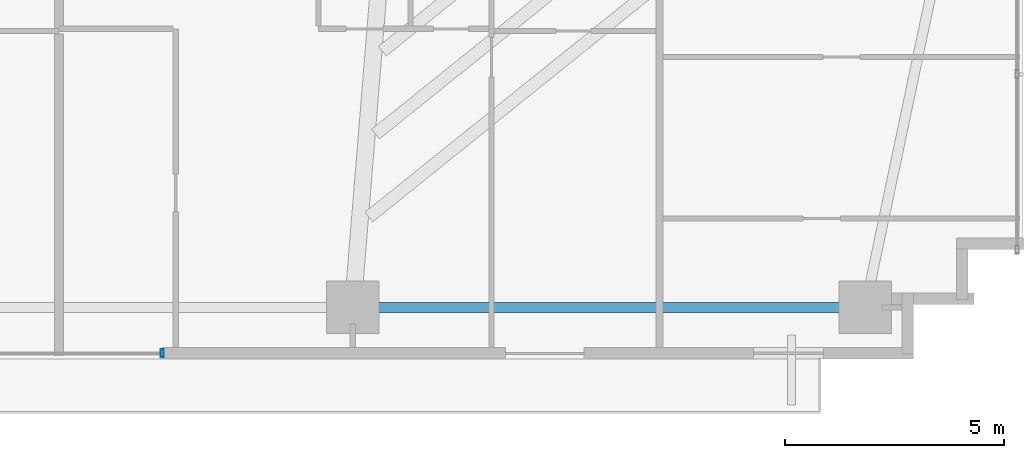
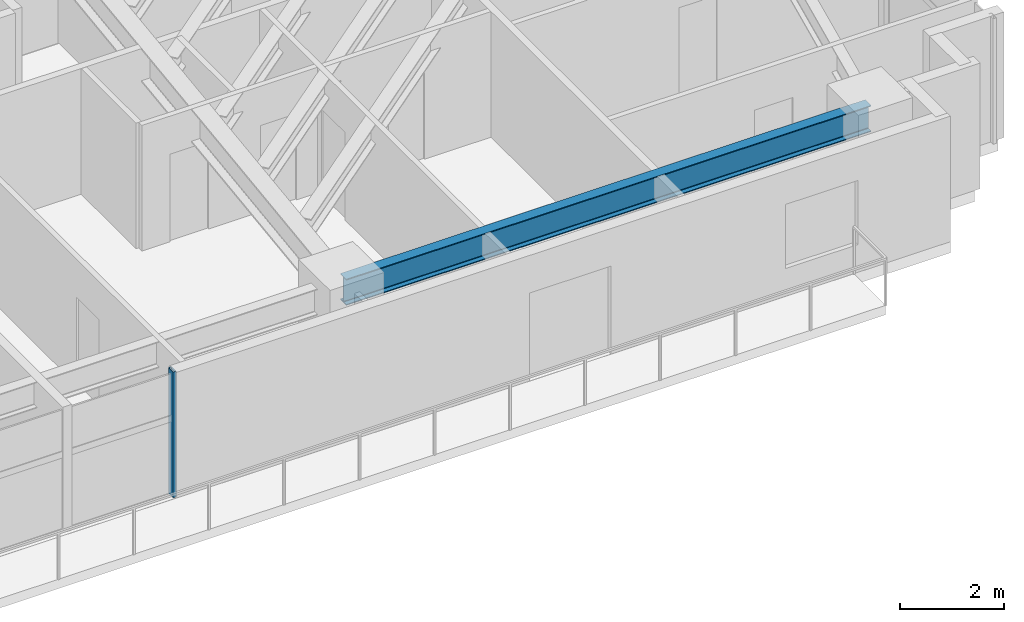
# One storey, part 12 of 25: 1 beam, 1 member, 1 element without a shape of its own.
"""IFC4 building model written with IfcOpenShell, lengths in metres."""

import ifcopenshell
import ifcopenshell.guid

model = None  # the IFC model being written
_history = None  # IfcOwnerHistory: only IFC2X3 demands one
_inside = {}  # id of a spatial element -> (the spatial element, [elements in it])
_under = {}  # id of a project, library or spatial element -> (it, [spatial elements below it])
_declared = {}  # id of a project -> (the project, [libraries it declares])
_typed = {}  # id of a type object -> (the type object, [elements of that type])
_made_of = {}  # id of a material, layer set ... -> (it, [elements and type objects made of it])


def new_model(schema):
    """Start an empty IFC model of exactly this schema.

    Asked for "IFC4X3", IfcOpenShell would pick the latest addendum, in which some entities
    have other attributes; the version numbers below select the first issue.
    IFC2X3 requires an IfcOwnerHistory on every rooted entity: one is made here for all.
    """
    global model, _history
    if schema == "IFC4X3":
        model = ifcopenshell.file(schema_version=(4, 3, 0, 0))
    else:
        model = ifcopenshell.file(schema=schema)
    _inside.clear()
    _under.clear()
    _declared.clear()
    _typed.clear()
    _made_of.clear()
    _history = None
    if model.schema == "IFC2X3":
        org = make("IfcOrganization", Name="unknown")
        user = make(
            "IfcPersonAndOrganization",
            ThePerson=make("IfcPerson", FamilyName="unknown"),
            TheOrganization=org,
        )
        app = make(
            "IfcApplication",
            ApplicationDeveloper=org,
            Version="unknown",
            ApplicationFullName="unknown",
            ApplicationIdentifier="unknown",
        )
        _history = make(
            "IfcOwnerHistory",
            OwningUser=user,
            OwningApplication=app,
            ChangeAction="ADDED",
            CreationDate=0,
        )
    return model


def make(cls, **values):
    """One entity of the class cls with the attributes given. An attribute that is None is left unset."""
    return model.create_entity(
        cls, **{name: value for name, value in values.items() if value is not None}
    )


def rooted(cls, **values):
    """An entity with a GlobalId (a new one), such as an element, a storey or a relation."""
    return make(cls, GlobalId=ifcopenshell.guid.new(), OwnerHistory=_history, **values)


def si_unit(unit_type, name, prefix=None):
    """IfcSIUnit, for example si_unit("LENGTHUNIT", "METRE", prefix="MILLI")."""
    return make("IfcSIUnit", UnitType=unit_type, Prefix=prefix, Name=name)


def assignment(units):
    """IfcUnitAssignment: the units of a project."""
    return None if units is None else make("IfcUnitAssignment", Units=units)


def point(xyz):
    """IfcCartesianPoint."""
    return None if xyz is None else make("IfcCartesianPoint", Coordinates=xyz)


def direction(xyz):
    """IfcDirection."""
    return None if xyz is None else make("IfcDirection", DirectionRatios=xyz)


def frame(location, z_axis=None, x_axis=None):
    """IfcAxis2Placement3D, a coordinate frame: its origin and axes. An axis left out is left unset."""
    return make(
        "IfcAxis2Placement3D",
        Location=point(location),
        Axis=direction(z_axis),
        RefDirection=direction(x_axis),
    )


def frame_2d(location, x_axis=None):
    """IfcAxis2Placement2D, a coordinate frame in the plane: its origin and x axis."""
    return make(
        "IfcAxis2Placement2D", Location=point(location), RefDirection=direction(x_axis)
    )


def origin():
    """The frame at (0, 0, 0) with its axes left unset."""
    return frame((0.0, 0.0, 0.0))


def origin_2d():
    """The frame at (0, 0) in the plane with its x axis left unset."""
    return frame_2d((0.0, 0.0))


def place(relative_to, where):
    """IfcLocalPlacement: puts the frame where relative to a parent placement (None: the world)."""
    return make(
        "IfcLocalPlacement", PlacementRelTo=relative_to, RelativePlacement=where
    )


def context(
    kind, dimensions, precision=None, world=None, true_north=None, identifier=None
):
    """IfcGeometricRepresentationContext, for example the 3D "Model" context."""
    return make(
        "IfcGeometricRepresentationContext",
        ContextIdentifier=identifier,
        ContextType=kind,
        CoordinateSpaceDimension=dimensions,
        Precision=precision,
        WorldCoordinateSystem=world,
        TrueNorth=true_north,
    )


def subcontext(parent, identifier, kind, view, scale=None):
    """IfcGeometricRepresentationSubContext, for example "Body" below "Model"."""
    return make(
        "IfcGeometricRepresentationSubContext",
        ContextIdentifier=identifier,
        ContextType=kind,
        ParentContext=parent,
        TargetScale=scale,
        TargetView=view,
    )


def project(units=None, contexts=None):
    """IfcProject with its units and contexts."""
    return rooted(
        "IfcProject",
        Name="project",
        RepresentationContexts=contexts,
        UnitsInContext=assignment(units),
    )


def spatial(cls, under=None, at=None, **own):
    """A site, building, storey or space (cls), placed at a placement, below another one or the project."""
    s = rooted(cls, ObjectPlacement=at, **own)
    if under is not None:
        _under.setdefault(under.id(), (under, []))[1].append(s)
    return s


def profile(cls, at=None, kind="AREA", **sizes):
    """A parametric profile (cls). Its sizes go by their IFC names, for example OverallWidth=200.0."""
    return make(cls, ProfileType=kind, Position=at, **sizes)


def hollow_rectangle(**sizes):
    """IfcRectangleHollowProfileDef."""
    return profile("IfcRectangleHollowProfileDef", **sizes)


def i_section(**sizes):
    """IfcIShapeProfileDef."""
    return profile("IfcIShapeProfileDef", **sizes)


def extrude(swept, where, along, depth):
    """IfcExtrudedAreaSolid: the profile swept, set in the frame where, extruded along a direction by depth."""
    return make(
        "IfcExtrudedAreaSolid",
        SweptArea=swept,
        Position=where,
        ExtrudedDirection=direction(along),
        Depth=depth,
    )


def shape(context_of_items, identifier, shape_type, items):
    """IfcShapeRepresentation: the items that make up one representation, for example the "Body"."""
    return make(
        "IfcShapeRepresentation",
        ContextOfItems=context_of_items,
        RepresentationIdentifier=identifier,
        RepresentationType=shape_type,
        Items=items,
    )


def source(mapping_origin, context_of_items, identifier, shape_type, items):
    """IfcRepresentationMap: a shape defined once, which mapped items show again and again."""
    return make(
        "IfcRepresentationMap",
        MappingOrigin=mapping_origin,
        MappedRepresentation=shape(context_of_items, identifier, shape_type, items),
    )


def transform(
    local_origin,
    x_axis=None,
    y_axis=None,
    z_axis=None,
    scale=None,
    scale2=None,
    scale3=None,
    uniform=True,
):
    """IfcCartesianTransformationOperator3D, or its non-uniform kind. x_axis, y_axis, z_axis: its Axis1, 2, 3."""
    if uniform:
        return make(
            "IfcCartesianTransformationOperator3D",
            Axis1=direction(x_axis),
            Axis2=direction(y_axis),
            LocalOrigin=point(local_origin),
            Scale=scale,
            Axis3=direction(z_axis),
        )
    return make(
        "IfcCartesianTransformationOperator3DnonUniform",
        Axis1=direction(x_axis),
        Axis2=direction(y_axis),
        LocalOrigin=point(local_origin),
        Scale=scale,
        Axis3=direction(z_axis),
        Scale2=scale2,
        Scale3=scale3,
    )


def mapped(mapping_source, mapping_target):
    """IfcMappedItem: shows the shape of a source again, moved by a transform."""
    return make(
        "IfcMappedItem", MappingSource=mapping_source, MappingTarget=mapping_target
    )


def material(Name=None, Category=None):
    """IfcMaterial."""
    return make("IfcMaterial", Name=Name, Category=Category)


def material_profile(
    of_material, cross_section, Name=None, Category=None, Priority=None
):
    """IfcMaterialProfile: a cross section and its material."""
    return make(
        "IfcMaterialProfile",
        Name=Name,
        Material=of_material,
        Profile=cross_section,
        Priority=Priority,
        Category=Category,
    )


def profile_set(profiles, Name=None, composite=None):
    """IfcMaterialProfileSet."""
    return make(
        "IfcMaterialProfileSet",
        Name=Name,
        MaterialProfiles=profiles,
        CompositeProfile=composite,
    )


def made_of(thing, what):
    """Note that an element or type object is made of a material, layer set ...; save() writes the relation."""
    if what is not None:
        _made_of.setdefault(what.id(), (what, []))[1].append(thing)
    return thing


def type_object(cls, material=None, **own):
    """A type object (cls), such as IfcWallType, which elements share."""
    return made_of(rooted(cls, **own), material)


def type_shapes(of_type, sources):
    """Give a type object the sources (RepresentationMaps) that its elements show as mapped items."""
    of_type.RepresentationMaps = sources


def element(
    cls,
    number,
    at=None,
    inside=None,
    cuts=None,
    type_object=None,
    material=None,
    context=None,
    identifier="Body",
    shape_type=None,
    held_by="IfcProductDefinitionShape",
    body=None,
    shapes=None,
    **own,
):
    """One element of the class cls, such as IfcWall. Its Tag is "e" and its number.

    at: its placement. inside: the storey or other place that contains it. cuts: it is an
    opening in that element (IfcRelVoidsElement). A single representation is given by context,
    identifier, shape_type and body (its items); several are given by shapes. held_by: the class
    of the entity that holds the representations. save() writes the other relations.
    """
    e = rooted(cls, Tag="e%d" % number, ObjectPlacement=at, **own)
    if body is not None:
        shapes = [shape(context, identifier, shape_type, body)]
    if shapes is not None:
        e.Representation = make(held_by, Representations=shapes)
    if inside is not None:
        _inside.setdefault(inside.id(), (inside, []))[1].append(e)
    if cuts is not None:
        rooted(
            "IfcRelVoidsElement", RelatingBuildingElement=cuts, RelatedOpeningElement=e
        )
    if type_object is not None:
        _typed.setdefault(type_object.id(), (type_object, []))[1].append(e)
    return made_of(e, material)


def aggregate(whole, parts):
    """IfcRelAggregates: a whole, such as a stair, and the parts it consists of."""
    return rooted("IfcRelAggregates", RelatingObject=whole, RelatedObjects=parts)


def save(model, path):
    """Write the relations noted so far, then the file.

    IfcRelAggregates (storeys below a building ...), IfcRelContainedInSpatialStructure (elements
    in a storey), IfcRelDefinesByType, IfcRelAssociatesMaterial and IfcRelDeclares: one each for
    every whole, place, type object, material and project.
    """
    for whole, parts in _under.values():
        aggregate(whole, parts)
    for where, things in _inside.values():
        rooted(
            "IfcRelContainedInSpatialStructure",
            RelatedElements=things,
            RelatingStructure=where,
        )
    for kind, things in _typed.values():
        rooted("IfcRelDefinesByType", RelatedObjects=things, RelatingType=kind)
    for what, things in _made_of.values():
        rooted("IfcRelAssociatesMaterial", RelatedObjects=things, RelatingMaterial=what)
    for by, libraries in _declared.values():
        rooted("IfcRelDeclares", RelatingContext=by, RelatedDefinitions=libraries)
    model.write(path)


model = new_model("IFC4")

# Units and contexts
model_context = context("Model", 3, precision=1e-05, world=origin(), true_north=direction((0.0, 1.0)))
body_context = subcontext(model_context, "Body", "Model", "MODEL_VIEW")
ifc_project = project(units=[si_unit("LENGTHUNIT", "METRE"), si_unit("AREAUNIT", "SQUARE_METRE"), si_unit("VOLUMEUNIT", "CUBIC_METRE"), si_unit("PLANEANGLEUNIT", "RADIAN"), si_unit("MASSUNIT", "GRAM", prefix="KILO")], contexts=[model_context])

# Site, building, storey
site_placement = place(None, origin())
site = spatial("IfcSite", under=ifc_project, at=site_placement, CompositionType="ELEMENT")
building_placement = place(site_placement, origin())
building = spatial("IfcBuilding", under=site, at=building_placement, Name="Astriad Promenade Condominiums", CompositionType="ELEMENT")
storey_placement = place(building_placement, frame((0.0, 0.0, 39.0)))
storey = spatial("IfcBuildingStorey", under=building, at=storey_placement, Name="L10", CompositionType="ELEMENT", Elevation=39.0)

# Beam
ifc_material_1 = material(Name="Steel ASTM A992 Grade 50", Category="steel")
ifc_material_profile_1 = material_profile(ifc_material_1, i_section(OverallWidth=0.22900390625, OverallDepth=0.612060546875, WebThickness=0.011962890625, FlangeThickness=0.01953125, FilletRadius=0.017822265625, at=origin_2d()), Name="W24X84")
ifc_profile_set_1 = profile_set([ifc_material_profile_1], Name="Steel ASTM A992 Grade 50")
beam_type = type_object("IfcBeamType", Name="STEEL SPANDREL BEAM W24X84", PredefinedType="SPANDREL", material=ifc_profile_set_1)
shared_shape_1 = source(origin(), body_context, "Body", "SweptSolid", [
    extrude(i_section(OverallWidth=0.22900390625, OverallDepth=0.612060546875, WebThickness=0.011962890625, FlangeThickness=0.01953125, FilletRadius=0.017822265625, at=origin_2d()), origin(), (0.0, 0.0, 1.0), 11.619873046875),
])
type_shapes(beam_type, [shared_shape_1])
beam_placement = place(storey_placement, frame((44.5400390625, 3.8798828125, 2.6337890625), z_axis=(1.0, 0.0, 0.0), x_axis=(0.0, 1.0, 0.0)))
element("IfcBeam", 1, at=beam_placement, inside=storey, type_object=beam_type, Name="Perimeter Spandrel Beam SP-S4-L10", PredefinedType="SPANDREL", context=body_context, shape_type="MappedRepresentation", body=[
    mapped(shared_shape_1, transform((0.0, 0.0, 0.0), scale=1.0)),
])

# Curtain wall, member
ifc_material_2 = material(Name="Anodised aluminium Black Dark Glass Unitised", Category="aluminium")
curtain_wall_type = type_object("IfcCurtainWallType", Name="CW-B1-DARK", PredefinedType="USERDEFINED", material=ifc_material_2)
curtain_wall_placement = place(storey_placement, origin())
curtain_wall = element("IfcCurtainWall", 2, at=curtain_wall_placement, inside=storey, type_object=curtain_wall_type, Name="CW-L10-S", ObjectType="UNITISED_CURTAIN_WALL", PredefinedType="USERDEFINED")
ifc_material_3 = material(Name="Anodised aluminium 6063-T6 Black", Category="aluminium")
ifc_material_profile_2 = material_profile(ifc_material_3, hollow_rectangle(XDim=0.074951171875, YDim=0.18505859375, WallThickness=0.00439453125, at=origin_2d()), Name="ALU-MUL-75X185")
ifc_profile_set_2 = profile_set([ifc_material_profile_2], Name="Anodised aluminium 6063-T6 Black")
member_type = type_object("IfcMemberType", Name="MUL-ALU-MUL-75X185", PredefinedType="MULLION", material=ifc_profile_set_2)
shared_shape_2 = source(origin(), body_context, "Body", "SweptSolid", [
    extrude(hollow_rectangle(XDim=0.074951171875, YDim=0.18505859375, WallThickness=0.00439453125, at=origin_2d()), origin(), (0.0, 0.0, 1.0), 2.93994140625),
])
type_shapes(member_type, [shared_shape_2])
member_placement = place(storey_placement, frame((40.14990234375, 2.830078125, 0.0), z_axis=(0.0, 0.0, 1.0), x_axis=(1.0, 0.0, 0.0)))
member = element("IfcMember", 3, at=member_placement, type_object=member_type, Name="CW-L10-S-MUL-00", PredefinedType="MULLION", context=body_context, shape_type="MappedRepresentation", body=[
    mapped(shared_shape_2, transform((0.0, 0.0, 0.0), scale=1.0)),
])
aggregate(curtain_wall, [member])

save(model, "model.ifc")
